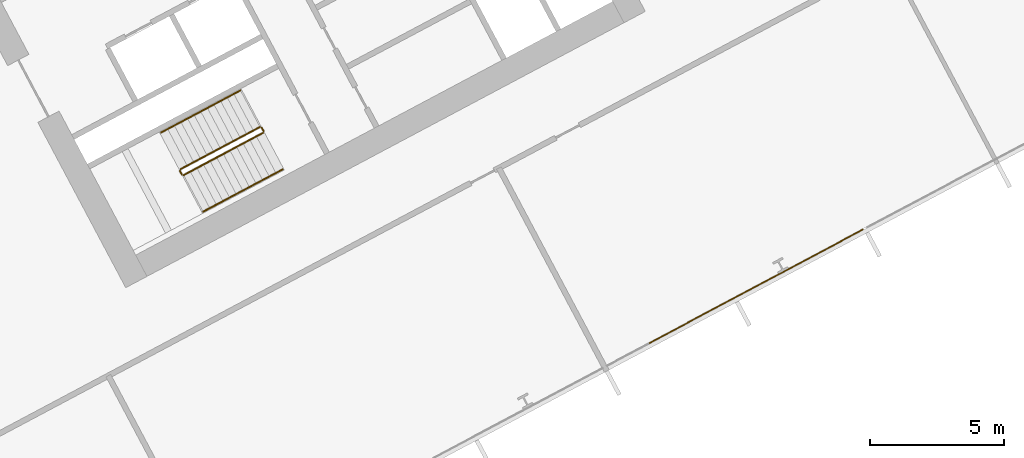
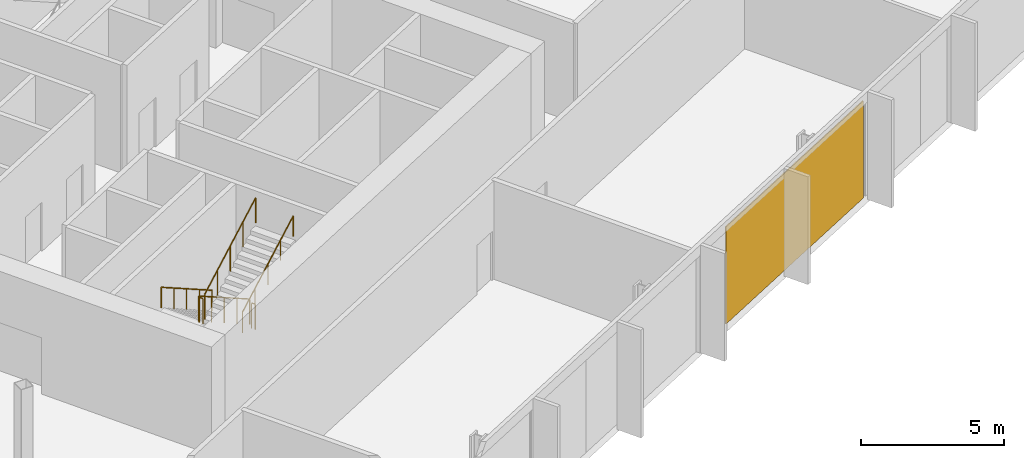
# One storey, part 27 of 31: 6 railings, 1 covering, 1 element without a shape of its own.
"""IFC4 building model written with IfcOpenShell, lengths in metres."""

from ifc_helpers import new_model, si_unit, direction, frame, origin, origin_2d, place, context, subcontext, project, spatial, polyline, rectangle, outline, extrude, material, layer, layer_set, type_object, element, aggregate, save


model = new_model("IFC4")

# Units and contexts
model_context = context("Model", 3, precision=1e-05, world=origin(), true_north=direction((0.0, 1.0)))
body_context = subcontext(model_context, "Body", "Model", "MODEL_VIEW")
ifc_project = project(units=[si_unit("LENGTHUNIT", "METRE"), si_unit("AREAUNIT", "SQUARE_METRE"), si_unit("VOLUMEUNIT", "CUBIC_METRE"), si_unit("PLANEANGLEUNIT", "RADIAN"), si_unit("MASSUNIT", "GRAM", prefix="KILO")], contexts=[model_context])

# Site, building, storey
site_placement = place(None, origin())
site = spatial("IfcSite", under=ifc_project, at=site_placement, CompositionType="ELEMENT")
building_placement = place(site_placement, origin())
building = spatial("IfcBuilding", under=site, at=building_placement, Name="Cormorant Relay Tower", CompositionType="ELEMENT")
storey_placement = place(building_placement, frame((0.0, 0.0, 103.0)))
storey = spatial("IfcBuildingStorey", under=building, at=storey_placement, Name="L20", CompositionType="ELEMENT", Elevation=103.0)

# Curtain wall, covering
ifc_material_1 = material(Name="Aluminium 6063-T6 anodised bronze", Category="aluminium")
ifc_layer_1 = layer(ifc_material_1, 0.199951171875)
ifc_layer_set_1 = layer_set([ifc_layer_1], Name="CW1 unitised bronze curtain wall with vertical fins")
curtain_wall_type = type_object("IfcCurtainWallType", Name="CW1 unitised bronze curtain wall with vertical fins", PredefinedType="NOTDEFINED", material=ifc_layer_set_1)
curtain_wall_placement = place(storey_placement, origin())
curtain_wall = element("IfcCurtainWall", 1, at=curtain_wall_placement, inside=storey, type_object=curtain_wall_type, Name="CW1 curtain wall 2", PredefinedType="NOTDEFINED")
ifc_material_2 = material(Name="Pale bronze anodised aluminium insulated panel", Category="aluminium")
ifc_layer_2 = layer(ifc_material_2, 0.0400390625)
ifc_layer_set_2 = layer_set([ifc_layer_2], Name="CW1 pale bronze insulated panel 40")
covering_type = type_object("IfcCoveringType", Name="CW1 pale bronze insulated panel 40", PredefinedType="CLADDING", material=ifc_layer_set_2)
covering_placement = place(storey_placement, frame((42.38623046875, -1.269287109375, 0.0), z_axis=(0.0, 0.0, 1.0), x_axis=(0.882947592859, 0.469471562786, 0.0)))
covering = element("IfcCovering", 2, at=covering_placement, type_object=covering_type, Name="CW1 panel S09", PredefinedType="CLADDING", context=body_context, shape_type="SweptSolid", body=[
    extrude(rectangle(XDim=9.07373046875, YDim=0.0400390625, at=origin_2d()), origin(), (0.0, 0.0, 1.0), 4.14990234375),
])
aggregate(curtain_wall, [covering])

# Railings
ifc_material_3 = material(Name="Steel ASTM A572 Grade 50 (Fy 345 MPa)", Category="steel")
railing_type_1 = type_object("IfcRailingType", Name="Stair guard 1100", PredefinedType="GUARDRAIL", material=ifc_material_3)
railing_1_placement = place(storey_placement, frame((23.83837890625, 4.6904296875, 0.177001953125)))
element("IfcRailing", 3, at=railing_1_placement, inside=storey, type_object=railing_type_1, Name="L20 B1 stair guard 1", PredefinedType="GUARDRAIL", context=body_context, shape_type="SweptSolid", body=[
    extrude(outline(polyline([(0.022216796875, 0.00927734375), (0.00927734375, 0.022216796875), (-0.00927734375, 0.022216796875), (-0.022216796875, 0.00927734375), (-0.022216796875, -0.00927734375), (-0.00927734375, -0.022216796875), (0.00927734375, -0.022216796875), (0.022216796875, -0.00927734375), (0.022216796875, 0.00927734375)])), frame((0.0, 0.0, 1.076171875), z_axis=(-0.746440668329, -0.396869088057, 0.534154711306), x_axis=(0.46945269911, -0.882957622595, 0.0)), (0.0, 0.0, 1.0), 3.974609375),
    extrude(outline(polyline([(0.019287109375, 0.008056640625), (0.008056640625, 0.019287109375), (-0.008056640625, 0.019287109375), (-0.019287109375, 0.008056640625), (-0.019287109375, -0.008056640625), (-0.008056640625, -0.019287109375), (0.008056640625, -0.019287109375), (0.019287109375, -0.008056640625), (0.019287109375, 0.008056640625)])), origin(), (0.0, 0.0, 1.0), 1.052001953125),
    extrude(outline(polyline([(0.019287109375, 0.008056640625), (0.008056640625, 0.019287109375), (-0.008056640625, 0.019287109375), (-0.019287109375, 0.008056640625), (-0.019287109375, -0.008056640625), (-0.008056640625, -0.019287109375), (0.008056640625, -0.019287109375), (0.019287109375, -0.008056640625), (0.019287109375, 0.008056640625)])), frame((-0.74169921875, -0.394287109375, 0.53076171875)), (0.0, 0.0, 1.0), 1.052001953125),
    extrude(outline(polyline([(0.019287109375, 0.008056640625), (0.008056640625, 0.019287109375), (-0.008056640625, 0.019287109375), (-0.019287109375, 0.008056640625), (-0.019287109375, -0.008056640625), (-0.008056640625, -0.019287109375), (0.008056640625, -0.019287109375), (0.019287109375, -0.008056640625), (0.019287109375, 0.008056640625)])), frame((-1.4833984375, -0.78857421875, 1.0615234375)), (0.0, 0.0, 1.0), 1.052001953125),
    extrude(outline(polyline([(0.019287109375, 0.008056640625), (0.008056640625, 0.019287109375), (-0.008056640625, 0.019287109375), (-0.019287109375, 0.008056640625), (-0.019287109375, -0.008056640625), (-0.008056640625, -0.019287109375), (0.008056640625, -0.019287109375), (0.019287109375, -0.008056640625), (0.019287109375, 0.008056640625)])), frame((-2.22509765625, -1.18310546875, 1.59228515625)), (0.0, 0.0, 1.0), 1.052001953125),
    extrude(outline(polyline([(0.019287109375, 0.008056640625), (0.008056640625, 0.019287109375), (-0.008056640625, 0.019287109375), (-0.019287109375, 0.008056640625), (-0.019287109375, -0.008056640625), (-0.008056640625, -0.019287109375), (0.008056640625, -0.019287109375), (0.019287109375, -0.008056640625), (0.019287109375, 0.008056640625)])), frame((-2.966796875, -1.577392578125, 2.123046875)), (0.0, 0.0, 1.0), 1.052001953125),
])
railing_2_placement = place(storey_placement, frame((20.850830078125, 3.04541015625, 2.300048828125)))
element("IfcRailing", 4, at=railing_2_placement, inside=storey, type_object=railing_type_1, Name="L20 B1 stair guard 2", PredefinedType="GUARDRAIL", context=body_context, shape_type="SweptSolid", body=[
    extrude(outline(polyline([(0.022216796875, 0.00927734375), (0.00927734375, 0.022216796875), (-0.00927734375, 0.022216796875), (-0.022216796875, 0.00927734375), (-0.022216796875, -0.00927734375), (-0.00927734375, -0.022216796875), (0.00927734375, -0.022216796875), (0.022216796875, -0.00927734375), (0.022216796875, 0.00927734375)])), frame((0.0, 0.0, 1.076171875), z_axis=(0.469828648786, -0.882757634224, 0.0), x_axis=(0.882757634224, 0.469828648786, 0.0)), (0.0, 0.0, 1.0), 0.150146484375),
    extrude(outline(polyline([(0.019287109375, 0.008056640625), (0.008056640625, 0.019287109375), (-0.008056640625, 0.019287109375), (-0.019287109375, 0.008056640625), (-0.019287109375, -0.008056640625), (-0.008056640625, -0.019287109375), (0.008056640625, -0.019287109375), (0.019287109375, -0.008056640625), (0.019287109375, 0.008056640625)])), origin(), (0.0, 0.0, 1.0), 1.052001953125),
    extrude(outline(polyline([(0.019287109375, 0.008056640625), (0.008056640625, 0.019287109375), (-0.008056640625, 0.019287109375), (-0.019287109375, 0.008056640625), (-0.019287109375, -0.008056640625), (-0.008056640625, -0.019287109375), (0.008056640625, -0.019287109375), (0.019287109375, -0.008056640625), (0.019287109375, 0.008056640625)])), frame((0.070556640625, -0.132568359375, 0.0)), (0.0, 0.0, 1.0), 1.052001953125),
])
railing_3_placement = place(storey_placement, frame((20.989013671875, 2.892333984375, 2.476806640625)))
element("IfcRailing", 5, at=railing_3_placement, inside=storey, type_object=railing_type_1, Name="L20 B1 stair guard 3", PredefinedType="GUARDRAIL", context=body_context, shape_type="SweptSolid", body=[
    extrude(outline(polyline([(0.022216796875, 0.00927734375), (0.00927734375, 0.022216796875), (-0.00927734375, 0.022216796875), (-0.022216796875, 0.00927734375), (-0.022216796875, -0.00927734375), (-0.00927734375, -0.022216796875), (0.00927734375, -0.022216796875), (0.022216796875, -0.00927734375), (0.022216796875, 0.00927734375)])), frame((0.0, 0.0, 1.076171875), z_axis=(0.746388972956, 0.396874261729, 0.534223100798), x_axis=(-0.469482818608, 0.88294160794, 0.0)), (0.0, 0.0, 1.0), 3.974609375),
    extrude(outline(polyline([(0.019287109375, 0.008056640625), (0.008056640625, 0.019287109375), (-0.008056640625, 0.019287109375), (-0.019287109375, 0.008056640625), (-0.019287109375, -0.008056640625), (-0.008056640625, -0.019287109375), (0.008056640625, -0.019287109375), (0.019287109375, -0.008056640625), (0.019287109375, 0.008056640625)])), origin(), (0.0, 0.0, 1.0), 1.052001953125),
    extrude(outline(polyline([(0.019287109375, 0.008056640625), (0.008056640625, 0.019287109375), (-0.008056640625, 0.019287109375), (-0.019287109375, 0.008056640625), (-0.019287109375, -0.008056640625), (-0.008056640625, -0.019287109375), (0.008056640625, -0.019287109375), (0.019287109375, -0.008056640625), (0.019287109375, 0.008056640625)])), frame((0.74169921875, 0.394287109375, 0.53076171875)), (0.0, 0.0, 1.0), 1.052001953125),
    extrude(outline(polyline([(0.019287109375, 0.008056640625), (0.008056640625, 0.019287109375), (-0.008056640625, 0.019287109375), (-0.019287109375, 0.008056640625), (-0.019287109375, -0.008056640625), (-0.008056640625, -0.019287109375), (0.008056640625, -0.019287109375), (0.019287109375, -0.008056640625), (0.019287109375, 0.008056640625)])), frame((1.4833984375, 0.78857421875, 1.0615234375)), (0.0, 0.0, 1.0), 1.052001953125),
    extrude(outline(polyline([(0.019287109375, 0.008056640625), (0.008056640625, 0.019287109375), (-0.008056640625, 0.019287109375), (-0.019287109375, 0.008056640625), (-0.019287109375, -0.008056640625), (-0.008056640625, -0.019287109375), (0.008056640625, -0.019287109375), (0.019287109375, -0.008056640625), (0.019287109375, 0.008056640625)])), frame((2.224853515625, 1.18310546875, 1.592529296875)), (0.0, 0.0, 1.0), 1.052001953125),
    extrude(outline(polyline([(0.019287109375, 0.008056640625), (0.008056640625, 0.019287109375), (-0.008056640625, 0.019287109375), (-0.019287109375, 0.008056640625), (-0.019287109375, -0.008056640625), (-0.008056640625, -0.019287109375), (0.008056640625, -0.019287109375), (0.019287109375, -0.008056640625), (0.019287109375, 0.008056640625)])), frame((2.966552734375, 1.577392578125, 2.123291015625)), (0.0, 0.0, 1.0), 1.052001953125),
])
railing_4_placement = place(storey_placement, frame((23.906005859375, 4.669677734375, 0.0)))
element("IfcRailing", 6, at=railing_4_placement, inside=storey, type_object=railing_type_1, Name="L20 B1 stair guard 4", PredefinedType="GUARDRAIL", context=body_context, shape_type="SweptSolid", body=[
    extrude(outline(polyline([(0.022216796875, 0.00927734375), (0.00927734375, 0.022216796875), (-0.00927734375, 0.022216796875), (-0.022216796875, 0.00927734375), (-0.022216796875, -0.00927734375), (-0.00927734375, -0.022216796875), (0.00927734375, -0.022216796875), (0.022216796875, -0.00927734375), (0.022216796875, 0.00927734375)])), frame((0.0, 0.0, 1.076171875), z_axis=(0.469234640946, -0.883073525669, 0.0), x_axis=(0.883073525669, 0.469234640946, 0.0)), (0.0, 0.0, 1.0), 0.14990234375),
    extrude(outline(polyline([(0.019287109375, 0.008056640625), (0.008056640625, 0.019287109375), (-0.008056640625, 0.019287109375), (-0.019287109375, 0.008056640625), (-0.019287109375, -0.008056640625), (-0.008056640625, -0.019287109375), (0.008056640625, -0.019287109375), (0.019287109375, -0.008056640625), (0.019287109375, 0.008056640625)])), origin(), (0.0, 0.0, 1.0), 1.052001953125),
    extrude(outline(polyline([(0.019287109375, 0.008056640625), (0.008056640625, 0.019287109375), (-0.008056640625, 0.019287109375), (-0.019287109375, 0.008056640625), (-0.019287109375, -0.008056640625), (-0.008056640625, -0.019287109375), (0.008056640625, -0.019287109375), (0.019287109375, -0.008056640625), (0.019287109375, 0.008056640625)])), frame((0.0703125, -0.13232421875, 0.0)), (0.0, 0.0, 1.0), 1.052001953125),
])
ifc_material_4 = material(Name="Steel ASTM A572 Grade 50 (Fy 345 MPa)", Category="steel")
railing_type_2 = type_object("IfcRailingType", Name="Stair handrail 900", PredefinedType="HANDRAIL", material=ifc_material_4)
railing_5_placement = place(storey_placement, frame((23.110595703125, 6.05908203125, 0.177001953125)))
element("IfcRailing", 7, at=railing_5_placement, inside=storey, type_object=railing_type_2, Name="L20 B1 stair handrail 1", PredefinedType="HANDRAIL", context=body_context, shape_type="SweptSolid", body=[
    extrude(outline(polyline([(0.022216796875, 0.00927734375), (0.00927734375, 0.022216796875), (-0.00927734375, 0.022216796875), (-0.022216796875, 0.00927734375), (-0.022216796875, -0.00927734375), (-0.00927734375, -0.022216796875), (0.00927734375, -0.022216796875), (0.022216796875, -0.00927734375), (0.022216796875, 0.00927734375)])), frame((0.0, 0.0, 0.8759765625), z_axis=(-0.746413465702, -0.396887285154, 0.534179203172), x_axis=(0.469482818608, -0.88294160794, 0.0)), (0.0, 0.0, 1.0), 3.974365234375),
    extrude(outline(polyline([(0.019287109375, 0.008056640625), (0.008056640625, 0.019287109375), (-0.008056640625, 0.019287109375), (-0.019287109375, 0.008056640625), (-0.019287109375, -0.008056640625), (-0.008056640625, -0.019287109375), (0.008056640625, -0.019287109375), (0.019287109375, -0.008056640625), (0.019287109375, 0.008056640625)])), origin(), (0.0, 0.0, 1.0), 0.851806640625),
    extrude(outline(polyline([(0.019287109375, 0.008056640625), (0.008056640625, 0.019287109375), (-0.008056640625, 0.019287109375), (-0.019287109375, 0.008056640625), (-0.019287109375, -0.008056640625), (-0.008056640625, -0.019287109375), (0.008056640625, -0.019287109375), (0.019287109375, -0.008056640625), (0.019287109375, 0.008056640625)])), frame((-0.74169921875, -0.394287109375, 0.53076171875)), (0.0, 0.0, 1.0), 0.851806640625),
    extrude(outline(polyline([(0.019287109375, 0.008056640625), (0.008056640625, 0.019287109375), (-0.008056640625, 0.019287109375), (-0.019287109375, 0.008056640625), (-0.019287109375, -0.008056640625), (-0.008056640625, -0.019287109375), (0.008056640625, -0.019287109375), (0.019287109375, -0.008056640625), (0.019287109375, 0.008056640625)])), frame((-1.4833984375, -0.78857421875, 1.0615234375)), (0.0, 0.0, 1.0), 0.851806640625),
    extrude(outline(polyline([(0.019287109375, 0.008056640625), (0.008056640625, 0.019287109375), (-0.008056640625, 0.019287109375), (-0.019287109375, 0.008056640625), (-0.019287109375, -0.008056640625), (-0.008056640625, -0.019287109375), (0.008056640625, -0.019287109375), (0.019287109375, -0.008056640625), (0.019287109375, 0.008056640625)])), frame((-2.224853515625, -1.18310546875, 1.59228515625)), (0.0, 0.0, 1.0), 0.851806640625),
    extrude(outline(polyline([(0.019287109375, 0.008056640625), (0.008056640625, 0.019287109375), (-0.008056640625, 0.019287109375), (-0.019287109375, 0.008056640625), (-0.019287109375, -0.008056640625), (-0.008056640625, -0.019287109375), (0.008056640625, -0.019287109375), (0.019287109375, -0.008056640625), (0.019287109375, 0.008056640625)])), frame((-2.966552734375, -1.577392578125, 2.123046875)), (0.0, 0.0, 1.0), 0.851806640625),
])
railing_6_placement = place(storey_placement, frame((21.716552734375, 1.523681640625, 2.476806640625)))
element("IfcRailing", 8, at=railing_6_placement, inside=storey, type_object=railing_type_2, Name="L20 B1 stair handrail 2", PredefinedType="HANDRAIL", context=body_context, shape_type="SweptSolid", body=[
    extrude(outline(polyline([(0.022216796875, 0.00927734375), (0.00927734375, 0.022216796875), (-0.00927734375, 0.022216796875), (-0.022216796875, 0.00927734375), (-0.022216796875, -0.00927734375), (-0.00927734375, -0.022216796875), (0.00927734375, -0.022216796875), (0.022216796875, -0.00927734375), (0.022216796875, 0.00927734375)])), frame((0.0, 0.0, 0.8759765625), z_axis=(0.746416176936, 0.396856066424, 0.534198608526), x_axis=(-0.46945269911, 0.882957622595, 0.0)), (0.0, 0.0, 1.0), 3.974609375),
    extrude(outline(polyline([(0.019287109375, 0.008056640625), (0.008056640625, 0.019287109375), (-0.008056640625, 0.019287109375), (-0.019287109375, 0.008056640625), (-0.019287109375, -0.008056640625), (-0.008056640625, -0.019287109375), (0.008056640625, -0.019287109375), (0.019287109375, -0.008056640625), (0.019287109375, 0.008056640625)])), origin(), (0.0, 0.0, 1.0), 0.851806640625),
    extrude(outline(polyline([(0.019287109375, 0.008056640625), (0.008056640625, 0.019287109375), (-0.008056640625, 0.019287109375), (-0.019287109375, 0.008056640625), (-0.019287109375, -0.008056640625), (-0.008056640625, -0.019287109375), (0.008056640625, -0.019287109375), (0.019287109375, -0.008056640625), (0.019287109375, 0.008056640625)])), frame((0.74169921875, 0.394287109375, 0.53076171875)), (0.0, 0.0, 1.0), 0.851806640625),
    extrude(outline(polyline([(0.019287109375, 0.008056640625), (0.008056640625, 0.019287109375), (-0.008056640625, 0.019287109375), (-0.019287109375, 0.008056640625), (-0.019287109375, -0.008056640625), (-0.008056640625, -0.019287109375), (0.008056640625, -0.019287109375), (0.019287109375, -0.008056640625), (0.019287109375, 0.008056640625)])), frame((1.4833984375, 0.78857421875, 1.0615234375)), (0.0, 0.0, 1.0), 0.851806640625),
    extrude(outline(polyline([(0.019287109375, 0.008056640625), (0.008056640625, 0.019287109375), (-0.008056640625, 0.019287109375), (-0.019287109375, 0.008056640625), (-0.019287109375, -0.008056640625), (-0.008056640625, -0.019287109375), (0.008056640625, -0.019287109375), (0.019287109375, -0.008056640625), (0.019287109375, 0.008056640625)])), frame((2.22509765625, 1.18310546875, 1.592529296875)), (0.0, 0.0, 1.0), 0.851806640625),
    extrude(outline(polyline([(0.019287109375, 0.008056640625), (0.008056640625, 0.019287109375), (-0.008056640625, 0.019287109375), (-0.019287109375, 0.008056640625), (-0.019287109375, -0.008056640625), (-0.008056640625, -0.019287109375), (0.008056640625, -0.019287109375), (0.019287109375, -0.008056640625), (0.019287109375, 0.008056640625)])), frame((2.966796875, 1.577392578125, 2.123291015625)), (0.0, 0.0, 1.0), 0.851806640625),
])

save(model, "model.ifc")
